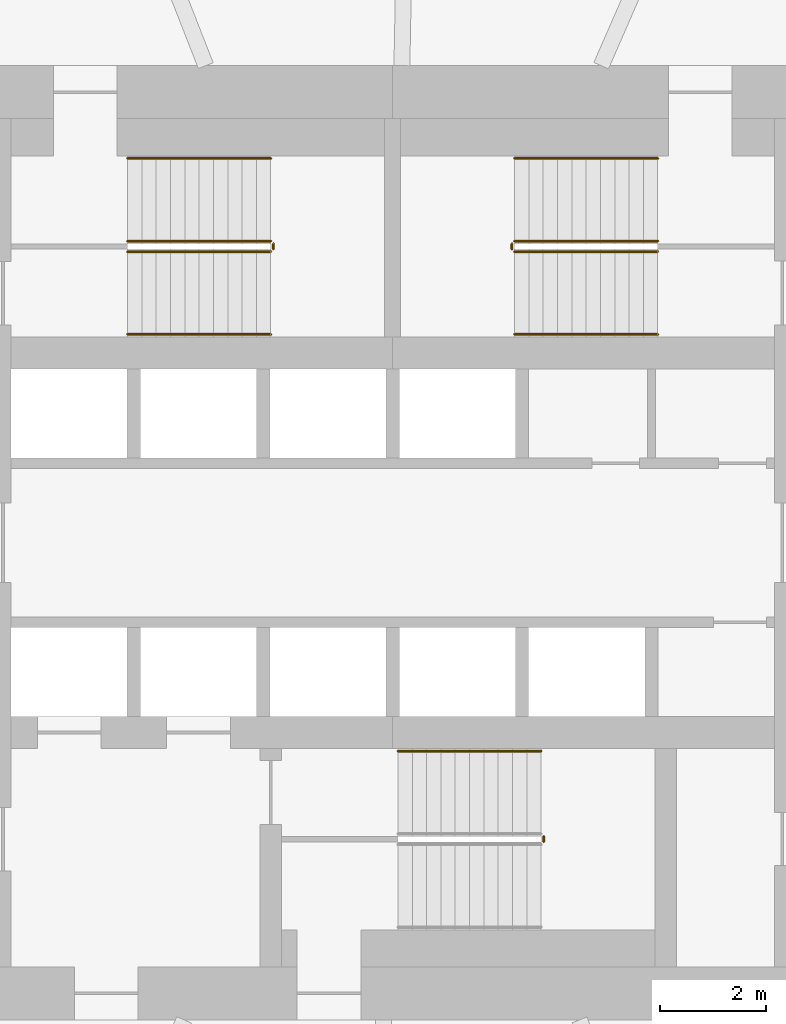
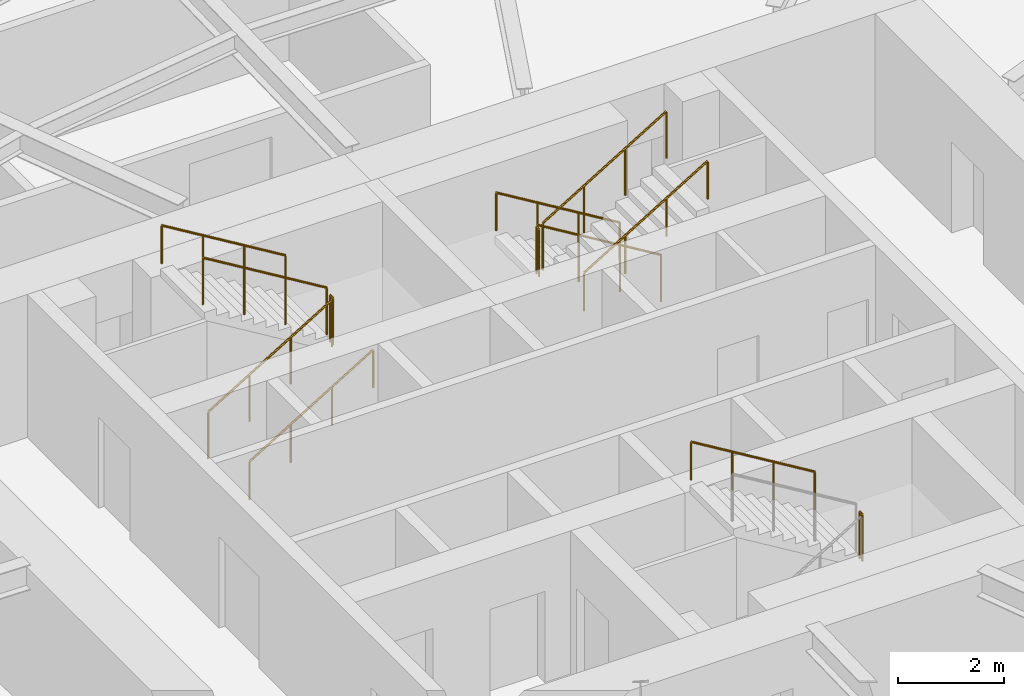
# One storey, part 7 of 8: 12 railings.
"""IFC4 building model written with IfcOpenShell, lengths in metres."""

import ifcopenshell
import ifcopenshell.guid

model = None  # the IFC model being written
_history = None  # IfcOwnerHistory: only IFC2X3 demands one
_inside = {}  # id of a spatial element -> (the spatial element, [elements in it])
_under = {}  # id of a project, library or spatial element -> (it, [spatial elements below it])
_declared = {}  # id of a project -> (the project, [libraries it declares])
_typed = {}  # id of a type object -> (the type object, [elements of that type])
_made_of = {}  # id of a material, layer set ... -> (it, [elements and type objects made of it])


def new_model(schema):
    """Start an empty IFC model of exactly this schema.

    Asked for "IFC4X3", IfcOpenShell would pick the latest addendum, in which some entities
    have other attributes; the version numbers below select the first issue.
    IFC2X3 requires an IfcOwnerHistory on every rooted entity: one is made here for all.
    """
    global model, _history
    if schema == "IFC4X3":
        model = ifcopenshell.file(schema_version=(4, 3, 0, 0))
    else:
        model = ifcopenshell.file(schema=schema)
    _inside.clear()
    _under.clear()
    _declared.clear()
    _typed.clear()
    _made_of.clear()
    _history = None
    if model.schema == "IFC2X3":
        org = make("IfcOrganization", Name="unknown")
        user = make(
            "IfcPersonAndOrganization",
            ThePerson=make("IfcPerson", FamilyName="unknown"),
            TheOrganization=org,
        )
        app = make(
            "IfcApplication",
            ApplicationDeveloper=org,
            Version="unknown",
            ApplicationFullName="unknown",
            ApplicationIdentifier="unknown",
        )
        _history = make(
            "IfcOwnerHistory",
            OwningUser=user,
            OwningApplication=app,
            ChangeAction="ADDED",
            CreationDate=0,
        )
    return model


def make(cls, **values):
    """One entity of the class cls with the attributes given. An attribute that is None is left unset."""
    return model.create_entity(
        cls, **{name: value for name, value in values.items() if value is not None}
    )


def rooted(cls, **values):
    """An entity with a GlobalId (a new one), such as an element, a storey or a relation."""
    return make(cls, GlobalId=ifcopenshell.guid.new(), OwnerHistory=_history, **values)


def si_unit(unit_type, name, prefix=None):
    """IfcSIUnit, for example si_unit("LENGTHUNIT", "METRE", prefix="MILLI")."""
    return make("IfcSIUnit", UnitType=unit_type, Prefix=prefix, Name=name)


def assignment(units):
    """IfcUnitAssignment: the units of a project."""
    return None if units is None else make("IfcUnitAssignment", Units=units)


def point(xyz):
    """IfcCartesianPoint."""
    return None if xyz is None else make("IfcCartesianPoint", Coordinates=xyz)


def direction(xyz):
    """IfcDirection."""
    return None if xyz is None else make("IfcDirection", DirectionRatios=xyz)


def frame(location, z_axis=None, x_axis=None):
    """IfcAxis2Placement3D, a coordinate frame: its origin and axes. An axis left out is left unset."""
    return make(
        "IfcAxis2Placement3D",
        Location=point(location),
        Axis=direction(z_axis),
        RefDirection=direction(x_axis),
    )


def frame_2d(location, x_axis=None):
    """IfcAxis2Placement2D, a coordinate frame in the plane: its origin and x axis."""
    return make(
        "IfcAxis2Placement2D", Location=point(location), RefDirection=direction(x_axis)
    )


def origin():
    """The frame at (0, 0, 0) with its axes left unset."""
    return frame((0.0, 0.0, 0.0))


def origin_2d():
    """The frame at (0, 0) in the plane with its x axis left unset."""
    return frame_2d((0.0, 0.0))


def place(relative_to, where):
    """IfcLocalPlacement: puts the frame where relative to a parent placement (None: the world)."""
    return make(
        "IfcLocalPlacement", PlacementRelTo=relative_to, RelativePlacement=where
    )


def context(
    kind, dimensions, precision=None, world=None, true_north=None, identifier=None
):
    """IfcGeometricRepresentationContext, for example the 3D "Model" context."""
    return make(
        "IfcGeometricRepresentationContext",
        ContextIdentifier=identifier,
        ContextType=kind,
        CoordinateSpaceDimension=dimensions,
        Precision=precision,
        WorldCoordinateSystem=world,
        TrueNorth=true_north,
    )


def subcontext(parent, identifier, kind, view, scale=None):
    """IfcGeometricRepresentationSubContext, for example "Body" below "Model"."""
    return make(
        "IfcGeometricRepresentationSubContext",
        ContextIdentifier=identifier,
        ContextType=kind,
        ParentContext=parent,
        TargetScale=scale,
        TargetView=view,
    )


def project(units=None, contexts=None):
    """IfcProject with its units and contexts."""
    return rooted(
        "IfcProject",
        Name="project",
        RepresentationContexts=contexts,
        UnitsInContext=assignment(units),
    )


def spatial(cls, under=None, at=None, **own):
    """A site, building, storey or space (cls), placed at a placement, below another one or the project."""
    s = rooted(cls, ObjectPlacement=at, **own)
    if under is not None:
        _under.setdefault(under.id(), (under, []))[1].append(s)
    return s


def profile(cls, at=None, kind="AREA", **sizes):
    """A parametric profile (cls). Its sizes go by their IFC names, for example OverallWidth=200.0."""
    return make(cls, ProfileType=kind, Position=at, **sizes)


def circle(**sizes):
    """IfcCircleProfileDef."""
    return profile("IfcCircleProfileDef", **sizes)


def extrude(swept, where, along, depth):
    """IfcExtrudedAreaSolid: the profile swept, set in the frame where, extruded along a direction by depth."""
    return make(
        "IfcExtrudedAreaSolid",
        SweptArea=swept,
        Position=where,
        ExtrudedDirection=direction(along),
        Depth=depth,
    )


def shape(context_of_items, identifier, shape_type, items):
    """IfcShapeRepresentation: the items that make up one representation, for example the "Body"."""
    return make(
        "IfcShapeRepresentation",
        ContextOfItems=context_of_items,
        RepresentationIdentifier=identifier,
        RepresentationType=shape_type,
        Items=items,
    )


def material(Name=None, Category=None):
    """IfcMaterial."""
    return make("IfcMaterial", Name=Name, Category=Category)


def made_of(thing, what):
    """Note that an element or type object is made of a material, layer set ...; save() writes the relation."""
    if what is not None:
        _made_of.setdefault(what.id(), (what, []))[1].append(thing)
    return thing


def type_object(cls, material=None, **own):
    """A type object (cls), such as IfcWallType, which elements share."""
    return made_of(rooted(cls, **own), material)


def element(
    cls,
    number,
    at=None,
    inside=None,
    cuts=None,
    type_object=None,
    material=None,
    context=None,
    identifier="Body",
    shape_type=None,
    held_by="IfcProductDefinitionShape",
    body=None,
    shapes=None,
    **own,
):
    """One element of the class cls, such as IfcWall. Its Tag is "e" and its number.

    at: its placement. inside: the storey or other place that contains it. cuts: it is an
    opening in that element (IfcRelVoidsElement). A single representation is given by context,
    identifier, shape_type and body (its items); several are given by shapes. held_by: the class
    of the entity that holds the representations. save() writes the other relations.
    """
    e = rooted(cls, Tag="e%d" % number, ObjectPlacement=at, **own)
    if body is not None:
        shapes = [shape(context, identifier, shape_type, body)]
    if shapes is not None:
        e.Representation = make(held_by, Representations=shapes)
    if inside is not None:
        _inside.setdefault(inside.id(), (inside, []))[1].append(e)
    if cuts is not None:
        rooted(
            "IfcRelVoidsElement", RelatingBuildingElement=cuts, RelatedOpeningElement=e
        )
    if type_object is not None:
        _typed.setdefault(type_object.id(), (type_object, []))[1].append(e)
    return made_of(e, material)


def aggregate(whole, parts):
    """IfcRelAggregates: a whole, such as a stair, and the parts it consists of."""
    return rooted("IfcRelAggregates", RelatingObject=whole, RelatedObjects=parts)


def save(model, path):
    """Write the relations noted so far, then the file.

    IfcRelAggregates (storeys below a building ...), IfcRelContainedInSpatialStructure (elements
    in a storey), IfcRelDefinesByType, IfcRelAssociatesMaterial and IfcRelDeclares: one each for
    every whole, place, type object, material and project.
    """
    for whole, parts in _under.values():
        aggregate(whole, parts)
    for where, things in _inside.values():
        rooted(
            "IfcRelContainedInSpatialStructure",
            RelatedElements=things,
            RelatingStructure=where,
        )
    for kind, things in _typed.values():
        rooted("IfcRelDefinesByType", RelatedObjects=things, RelatingType=kind)
    for what, things in _made_of.values():
        rooted("IfcRelAssociatesMaterial", RelatedObjects=things, RelatingMaterial=what)
    for by, libraries in _declared.values():
        rooted("IfcRelDeclares", RelatingContext=by, RelatedDefinitions=libraries)
    model.write(path)


model = new_model("IFC4")

# Units and contexts
model_context = context("Model", 3, precision=1e-05, world=origin(), true_north=direction((0.0, 1.0)))
body_context = subcontext(model_context, "Body", "Model", "MODEL_VIEW")
ifc_project = project(units=[si_unit("LENGTHUNIT", "METRE"), si_unit("AREAUNIT", "SQUARE_METRE"), si_unit("VOLUMEUNIT", "CUBIC_METRE"), si_unit("PLANEANGLEUNIT", "RADIAN"), si_unit("MASSUNIT", "GRAM", prefix="KILO")], contexts=[model_context])

# Site, building, storey
site_placement = place(None, origin())
site = spatial("IfcSite", under=ifc_project, at=site_placement, CompositionType="ELEMENT")
building_placement = place(site_placement, origin())
building = spatial("IfcBuilding", under=site, at=building_placement, Name="Vermilion Reach Broadcast Tower", CompositionType="ELEMENT")
storey_placement = place(building_placement, frame((0.0, 0.0, 179.39990234375)))
storey = spatial("IfcBuildingStorey", under=building, at=storey_placement, Name="L43", CompositionType="ELEMENT", Elevation=179.39990234375)

# Railings
ifc_material_1 = material(Name="Stainless steel", Category="steel")
railing_type_1 = type_object("IfcRailingType", Name="Stair guard 1100", PredefinedType="GUARDRAIL", material=ifc_material_1)
railing_1_placement = place(storey_placement, frame((-11.0, 5.489990234375, 0.163818359375)))
element("IfcRailing", 1, at=railing_1_placement, inside=storey, type_object=railing_type_1, Name="L43 ST1 stair guard 1", PredefinedType="GUARDRAIL", context=body_context, shape_type="SweptSolid", body=[
    extrude(circle(Radius=0.02392578125, at=origin_2d()), frame((0.0, 0.0, 1.076171875), z_axis=(0.855212373127, 0.0, 0.518277721738), x_axis=(0.0, 1.0, 0.0)), (0.0, 0.0, 1.0), 3.156982421875),
    extrude(circle(Radius=0.02099609375, at=origin_2d()), origin(), (0.0, 0.0, 1.0), 1.052001953125),
    extrude(circle(Radius=0.02099609375, at=origin_2d()), frame((0.89990234375, 0.0, 0.54541015625)), (0.0, 0.0, 1.0), 1.052001953125),
    extrude(circle(Radius=0.02099609375, at=origin_2d()), frame((1.800048828125, 0.0, 1.0908203125)), (0.0, 0.0, 1.0), 1.052001953125),
    extrude(circle(Radius=0.02099609375, at=origin_2d()), frame((2.699951171875, 0.0, 1.63623046875)), (0.0, 0.0, 1.0), 1.052001953125),
])
railing_2_placement = place(storey_placement, frame((-8.25, 5.5400390625, 1.800048828125)))
element("IfcRailing", 2, at=railing_2_placement, inside=storey, type_object=railing_type_1, Name="L43 ST1 stair guard 2", PredefinedType="GUARDRAIL", context=body_context, shape_type="SweptSolid", body=[
    extrude(circle(Radius=0.02392578125, at=origin_2d()), frame((0.0, 0.0, 1.076171875), z_axis=(0.0, 1.0, 0.0), x_axis=(-1.0, 0.0, 0.0)), (0.0, 0.0, 1.0), 0.099853515625),
    extrude(circle(Radius=0.02099609375, at=origin_2d()), origin(), (0.0, 0.0, 1.0), 1.052001953125),
    extrude(circle(Radius=0.02099609375, at=origin_2d()), frame((0.0, 0.099853515625, 0.0)), (0.0, 0.0, 1.0), 1.052001953125),
])
railing_3_placement = place(storey_placement, frame((-8.300048828125, 5.68994140625, 1.963623046875)))
element("IfcRailing", 3, at=railing_3_placement, inside=storey, type_object=railing_type_1, Name="L43 ST1 stair guard 3", PredefinedType="GUARDRAIL", context=body_context, shape_type="SweptSolid", body=[
    extrude(circle(Radius=0.02392578125, at=origin_2d()), frame((0.0, 0.0, 1.076171875), z_axis=(-0.855178096276, 0.0, 0.518334277904), x_axis=(0.0, -1.0, 0.0)), (0.0, 0.0, 1.0), 3.1572265625),
    extrude(circle(Radius=0.02099609375, at=origin_2d()), origin(), (0.0, 0.0, 1.0), 1.052001953125),
    extrude(circle(Radius=0.02099609375, at=origin_2d()), frame((-0.89990234375, 0.0, 0.54541015625)), (0.0, 0.0, 1.0), 1.052001953125),
    extrude(circle(Radius=0.02099609375, at=origin_2d()), frame((-1.800048828125, 0.0, 1.091064453125)), (0.0, 0.0, 1.0), 1.052001953125),
    extrude(circle(Radius=0.02099609375, at=origin_2d()), frame((-2.699951171875, 0.0, 1.636474609375)), (0.0, 0.0, 1.0), 1.052001953125),
])
railing_4_placement = place(storey_placement, frame((-1.0, 5.68994140625, 0.163818359375)))
element("IfcRailing", 4, at=railing_4_placement, inside=storey, type_object=railing_type_1, Name="L43 ST2 stair guard 1", PredefinedType="GUARDRAIL", context=body_context, shape_type="SweptSolid", body=[
    extrude(circle(Radius=0.02392578125, at=origin_2d()), frame((0.0, 0.0, 1.076171875), z_axis=(-0.855212373127, 0.0, 0.518277721738), x_axis=(0.0, -1.0, 0.0)), (0.0, 0.0, 1.0), 3.156982421875),
    extrude(circle(Radius=0.02099609375, at=origin_2d()), origin(), (0.0, 0.0, 1.0), 1.052001953125),
    extrude(circle(Radius=0.02099609375, at=origin_2d()), frame((-0.89990234375, 0.0, 0.54541015625)), (0.0, 0.0, 1.0), 1.052001953125),
    extrude(circle(Radius=0.02099609375, at=origin_2d()), frame((-1.800048828125, 0.0, 1.0908203125)), (0.0, 0.0, 1.0), 1.052001953125),
    extrude(circle(Radius=0.02099609375, at=origin_2d()), frame((-2.699951171875, 0.0, 1.63623046875)), (0.0, 0.0, 1.0), 1.052001953125),
])
railing_5_placement = place(storey_placement, frame((-3.75, 5.639892578125, 1.800048828125)))
element("IfcRailing", 5, at=railing_5_placement, inside=storey, type_object=railing_type_1, Name="L43 ST2 stair guard 2", PredefinedType="GUARDRAIL", context=body_context, shape_type="SweptSolid", body=[
    extrude(circle(Radius=0.02392578125, at=origin_2d()), frame((0.0, 0.0, 1.076171875), z_axis=(0.0, -1.0, 0.0), x_axis=(1.0, 0.0, 0.0)), (0.0, 0.0, 1.0), 0.099853515625),
    extrude(circle(Radius=0.02099609375, at=origin_2d()), origin(), (0.0, 0.0, 1.0), 1.052001953125),
    extrude(circle(Radius=0.02099609375, at=origin_2d()), frame((0.0, -0.099853515625, 0.0)), (0.0, 0.0, 1.0), 1.052001953125),
])
railing_6_placement = place(storey_placement, frame((-3.699951171875, 5.489990234375, 1.963623046875)))
element("IfcRailing", 6, at=railing_6_placement, inside=storey, type_object=railing_type_1, Name="L43 ST2 stair guard 3", PredefinedType="GUARDRAIL", context=body_context, shape_type="SweptSolid", body=[
    extrude(circle(Radius=0.02392578125, at=origin_2d()), frame((0.0, 0.0, 1.076171875), z_axis=(0.855178096276, 0.0, 0.518334277904), x_axis=(0.0, 1.0, 0.0)), (0.0, 0.0, 1.0), 3.1572265625),
    extrude(circle(Radius=0.02099609375, at=origin_2d()), origin(), (0.0, 0.0, 1.0), 1.052001953125),
    extrude(circle(Radius=0.02099609375, at=origin_2d()), frame((0.89990234375, 0.0, 0.54541015625)), (0.0, 0.0, 1.0), 1.052001953125),
    extrude(circle(Radius=0.02099609375, at=origin_2d()), frame((1.800048828125, 0.0, 1.091064453125)), (0.0, 0.0, 1.0), 1.052001953125),
    extrude(circle(Radius=0.02099609375, at=origin_2d()), frame((2.699951171875, 0.0, 1.636474609375)), (0.0, 0.0, 1.0), 1.052001953125),
])
railing_7_placement = place(storey_placement, frame((-3.14990234375, -5.639892578125, 1.800048828125)))
element("IfcRailing", 7, at=railing_7_placement, inside=storey, type_object=railing_type_1, Name="L43 ST3 stair guard 2", PredefinedType="GUARDRAIL", context=body_context, shape_type="SweptSolid", body=[
    extrude(circle(Radius=0.02392578125, at=origin_2d()), frame((0.0, 0.0, 1.076171875), z_axis=(0.0, 1.0, 0.0), x_axis=(-1.0, 0.0, 0.0)), (0.0, 0.0, 1.0), 0.099853515625),
    extrude(circle(Radius=0.02099609375, at=origin_2d()), origin(), (0.0, 0.0, 1.0), 1.052001953125),
    extrude(circle(Radius=0.02099609375, at=origin_2d()), frame((0.0, 0.099853515625, 0.0)), (0.0, 0.0, 1.0), 1.052001953125),
])
ifc_material_2 = material(Name="Stainless steel", Category="steel")
railing_type_2 = type_object("IfcRailingType", Name="Stair handrail", PredefinedType="HANDRAIL", material=ifc_material_2)
railing_8_placement = place(storey_placement, frame((-11.0, 3.929931640625, 0.163818359375)))
element("IfcRailing", 8, at=railing_8_placement, inside=storey, type_object=railing_type_2, Name="L43 ST1 stair handrail 1", PredefinedType="HANDRAIL", context=body_context, shape_type="SweptSolid", body=[
    extrude(circle(Radius=0.02392578125, at=origin_2d()), frame((0.0, 0.0, 0.8759765625), z_axis=(0.855212373127, 0.0, 0.518277721738), x_axis=(0.0, 1.0, 0.0)), (0.0, 0.0, 1.0), 3.156982421875),
    extrude(circle(Radius=0.02099609375, at=origin_2d()), origin(), (0.0, 0.0, 1.0), 0.851806640625),
    extrude(circle(Radius=0.02099609375, at=origin_2d()), frame((0.89990234375, 0.0, 0.54541015625)), (0.0, 0.0, 1.0), 0.851806640625),
    extrude(circle(Radius=0.02099609375, at=origin_2d()), frame((1.800048828125, 0.0, 1.0908203125)), (0.0, 0.0, 1.0), 0.851806640625),
    extrude(circle(Radius=0.02099609375, at=origin_2d()), frame((2.699951171875, 0.0, 1.63623046875)), (0.0, 0.0, 1.0), 0.851806640625),
])
railing_9_placement = place(storey_placement, frame((-8.300048828125, 7.25, 1.963623046875)))
element("IfcRailing", 9, at=railing_9_placement, inside=storey, type_object=railing_type_2, Name="L43 ST1 stair handrail 2", PredefinedType="HANDRAIL", context=body_context, shape_type="SweptSolid", body=[
    extrude(circle(Radius=0.02392578125, at=origin_2d()), frame((0.0, 0.0, 0.8759765625), z_axis=(-0.855178096276, 0.0, 0.518334277904), x_axis=(0.0, -1.0, 0.0)), (0.0, 0.0, 1.0), 3.1572265625),
    extrude(circle(Radius=0.02099609375, at=origin_2d()), origin(), (0.0, 0.0, 1.0), 0.851806640625),
    extrude(circle(Radius=0.02099609375, at=origin_2d()), frame((-0.89990234375, 0.0, 0.54541015625)), (0.0, 0.0, 1.0), 0.851806640625),
    extrude(circle(Radius=0.02099609375, at=origin_2d()), frame((-1.800048828125, 0.0, 1.091064453125)), (0.0, 0.0, 1.0), 0.851806640625),
    extrude(circle(Radius=0.02099609375, at=origin_2d()), frame((-2.699951171875, 0.0, 1.636474609375)), (0.0, 0.0, 1.0), 0.851806640625),
])
railing_10_placement = place(storey_placement, frame((-1.0, 7.25, 0.163818359375)))
element("IfcRailing", 10, at=railing_10_placement, inside=storey, type_object=railing_type_2, Name="L43 ST2 stair handrail 1", PredefinedType="HANDRAIL", context=body_context, shape_type="SweptSolid", body=[
    extrude(circle(Radius=0.02392578125, at=origin_2d()), frame((0.0, 0.0, 0.8759765625), z_axis=(-0.855212373127, 0.0, 0.518277721738), x_axis=(0.0, -1.0, 0.0)), (0.0, 0.0, 1.0), 3.156982421875),
    extrude(circle(Radius=0.02099609375, at=origin_2d()), origin(), (0.0, 0.0, 1.0), 0.851806640625),
    extrude(circle(Radius=0.02099609375, at=origin_2d()), frame((-0.89990234375, 0.0, 0.54541015625)), (0.0, 0.0, 1.0), 0.851806640625),
    extrude(circle(Radius=0.02099609375, at=origin_2d()), frame((-1.800048828125, 0.0, 1.0908203125)), (0.0, 0.0, 1.0), 0.851806640625),
    extrude(circle(Radius=0.02099609375, at=origin_2d()), frame((-2.699951171875, 0.0, 1.63623046875)), (0.0, 0.0, 1.0), 0.851806640625),
])
railing_11_placement = place(storey_placement, frame((-3.699951171875, 3.929931640625, 1.963623046875)))
element("IfcRailing", 11, at=railing_11_placement, inside=storey, type_object=railing_type_2, Name="L43 ST2 stair handrail 2", PredefinedType="HANDRAIL", context=body_context, shape_type="SweptSolid", body=[
    extrude(circle(Radius=0.02392578125, at=origin_2d()), frame((0.0, 0.0, 0.8759765625), z_axis=(0.855178096276, 0.0, 0.518334277904), x_axis=(0.0, 1.0, 0.0)), (0.0, 0.0, 1.0), 3.1572265625),
    extrude(circle(Radius=0.02099609375, at=origin_2d()), origin(), (0.0, 0.0, 1.0), 0.851806640625),
    extrude(circle(Radius=0.02099609375, at=origin_2d()), frame((0.89990234375, 0.0, 0.54541015625)), (0.0, 0.0, 1.0), 0.851806640625),
    extrude(circle(Radius=0.02099609375, at=origin_2d()), frame((1.800048828125, 0.0, 1.091064453125)), (0.0, 0.0, 1.0), 0.851806640625),
    extrude(circle(Radius=0.02099609375, at=origin_2d()), frame((2.699951171875, 0.0, 1.636474609375)), (0.0, 0.0, 1.0), 0.851806640625),
])
railing_12_placement = place(storey_placement, frame((-3.199951171875, -3.929931640625, 1.963623046875)))
element("IfcRailing", 12, at=railing_12_placement, inside=storey, type_object=railing_type_2, Name="L43 ST3 stair handrail 2", PredefinedType="HANDRAIL", context=body_context, shape_type="SweptSolid", body=[
    extrude(circle(Radius=0.02392578125, at=origin_2d()), frame((0.0, 0.0, 0.8759765625), z_axis=(-0.855178096276, 0.0, 0.518334277904), x_axis=(0.0, -1.0, 0.0)), (0.0, 0.0, 1.0), 3.1572265625),
    extrude(circle(Radius=0.02099609375, at=origin_2d()), origin(), (0.0, 0.0, 1.0), 0.851806640625),
    extrude(circle(Radius=0.02099609375, at=origin_2d()), frame((-0.89990234375, 0.0, 0.54541015625)), (0.0, 0.0, 1.0), 0.851806640625),
    extrude(circle(Radius=0.02099609375, at=origin_2d()), frame((-1.800048828125, 0.0, 1.091064453125)), (0.0, 0.0, 1.0), 0.851806640625),
    extrude(circle(Radius=0.02099609375, at=origin_2d()), frame((-2.699951171875, 0.0, 1.636474609375)), (0.0, 0.0, 1.0), 0.851806640625),
])

save(model, "model.ifc")
